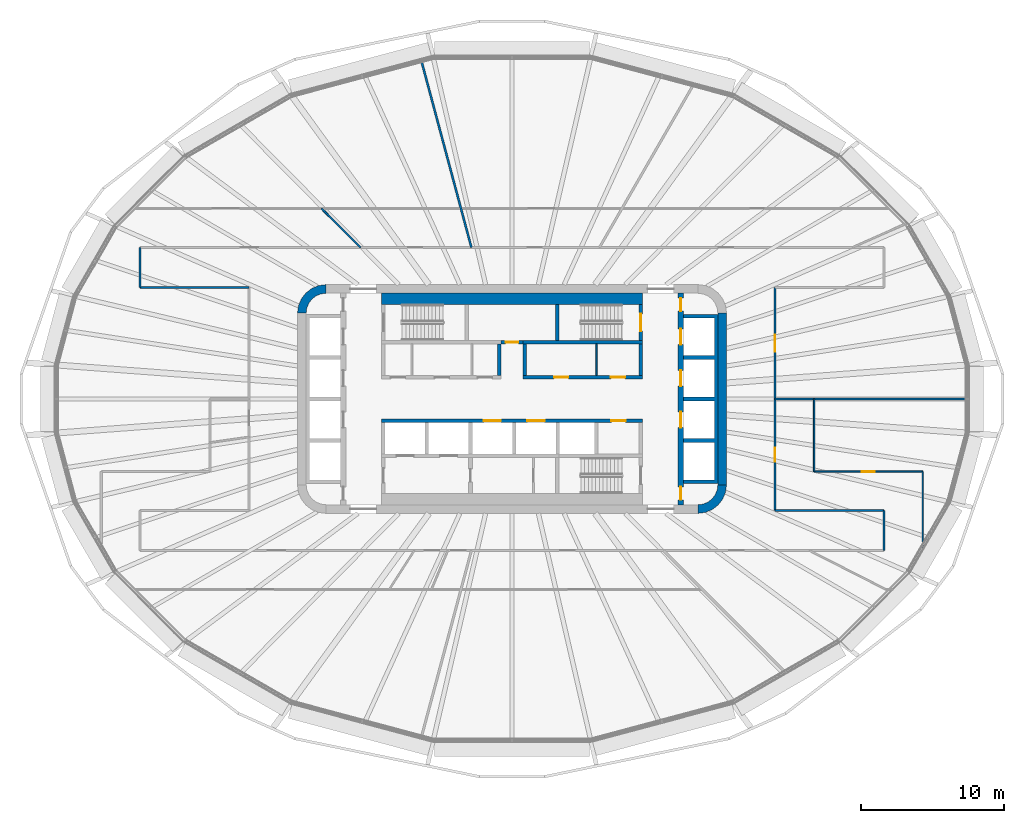
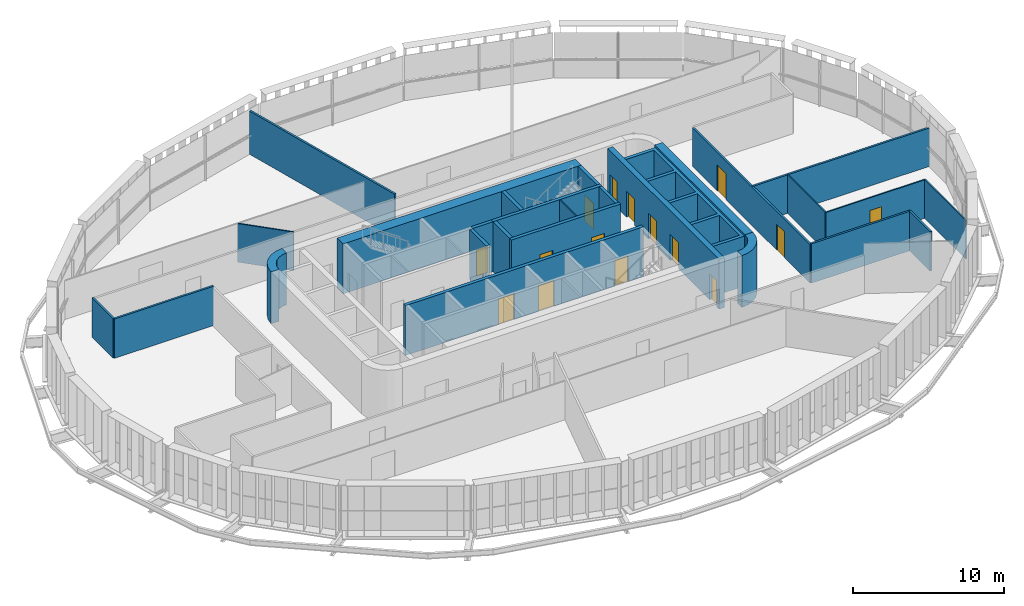
# One storey, part 16 of 25: 27 walls, 15 doors, 15 openings.
"""IFC4 building model written with IfcOpenShell, lengths in metres."""

from ifc_helpers import new_model, si_unit, direction, frame, frame_2d, origin, place, context, subcontext, project, spatial, polyline, rectangle, outline, extrude, material, layer, layer_set, type_object, element, fill, save


model = new_model("IFC4")

# Units and contexts
model_context = context("Model", 3, precision=1e-05, world=origin(), true_north=direction((0.0, 1.0)))
body_context = subcontext(model_context, "Body", "Model", "MODEL_VIEW")
ifc_project = project(units=[si_unit("LENGTHUNIT", "METRE"), si_unit("AREAUNIT", "SQUARE_METRE"), si_unit("VOLUMEUNIT", "CUBIC_METRE"), si_unit("PLANEANGLEUNIT", "RADIAN"), si_unit("MASSUNIT", "GRAM", prefix="KILO")], contexts=[model_context])

# Site, building, storey
site_placement = place(None, origin())
site = spatial("IfcSite", under=ifc_project, at=site_placement, CompositionType="ELEMENT")
building_placement = place(site_placement, origin())
building = spatial("IfcBuilding", under=site, at=building_placement, Name="Sahrelin Media Tower", CompositionType="ELEMENT")
storey_placement = place(building_placement, frame((0.0, 0.0, 110.39990234375)))
storey = spatial("IfcBuildingStorey", under=building, at=storey_placement, Name="L21", CompositionType="ELEMENT", Elevation=110.39990234375)

# Walls
ifc_material_1 = material(Name="Concrete C60/75", Category="concrete")
ifc_layer_1 = layer(ifc_material_1, 0.60009765625)
ifc_layer_set_1 = layer_set([ifc_layer_1], Name="Core wall 600")
wall_type_1 = type_object("IfcWallType", Name="Core wall 600", PredefinedType="SHEAR", material=ifc_layer_set_1)
wall_1_placement = place(storey_placement, frame((14.699951171875, -6.0, 0.0), z_axis=(0.0, 0.0, 1.0), x_axis=(0.0, 1.0, 0.0)))
element("IfcWall", 1, at=wall_1_placement, inside=storey, type_object=wall_type_1, Name="Core wall E L21", PredefinedType="SHEAR", context=body_context, shape_type="SweptSolid", body=[
    extrude(rectangle(XDim=12.0, YDim=0.60009765625, at=frame_2d((6.0, 0.0))), origin(), (0.0, 0.0, 1.0), 4.2001953125),
])
placement = place(storey_placement, origin())
element("IfcWall", 2, at=placement, inside=storey, type_object=wall_type_1, Name="Core wall corner NW L21", PredefinedType="SHEAR", context=body_context, shape_type="SweptSolid", body=[
    extrude(outline(polyline([(-15.0, 6.0), (-14.394775390625, 6.0), (-14.347412109375, 6.361083984375), (-14.2080078125, 6.697509765625), (-13.986328125, 6.986328125), (-13.697509765625, 7.2080078125), (-13.361083984375, 7.347412109375), (-13.0, 7.394775390625), (-13.0, 8.0), (-13.517578125, 7.931884765625), (-14.0, 7.732177734375), (-14.414306640625, 7.414306640625), (-14.732177734375, 7.0), (-14.931884765625, 6.517578125), (-15.0, 6.0)])), origin(), (0.0, 0.0, 1.0), 4.2001953125),
])
element("IfcWall", 3, at=placement, inside=storey, type_object=wall_type_1, Name="Core wall corner SE L21", PredefinedType="SHEAR", context=body_context, shape_type="SweptSolid", body=[
    extrude(outline(polyline([(15.0, -6.0), (14.394775390625, -6.0), (14.347412109375, -6.361083984375), (14.2080078125, -6.697509765625), (13.986328125, -6.986328125), (13.697509765625, -7.2080078125), (13.361083984375, -7.347412109375), (13.0, -7.394775390625), (13.0, -8.0), (13.517578125, -7.931884765625), (14.0, -7.732177734375), (14.414306640625, -7.414306640625), (14.732177734375, -7.0), (14.931884765625, -6.517578125), (15.0, -6.0)])), origin(), (0.0, 0.0, 1.0), 4.2001953125),
])

# Wall, opening, door
ifc_material_2 = material(Name="Fire-rated gypsum board partition")
ifc_layer_2 = layer(ifc_material_2, 0.25)
ifc_layer_set_2 = layer_set([ifc_layer_2], Name="Fire-rated lobby wall 250")
wall_type_2 = type_object("IfcWallType", Name="Fire-rated lobby wall 250", PredefinedType="PARTITIONING", material=ifc_layer_set_2)
wall_4_placement = place(storey_placement, frame((-0.77490234375, 3.97509765625, 0.0), z_axis=(0.0, 0.0, 1.0), x_axis=(1.0, 0.0, 0.0)))
wall_4 = element("IfcWall", 4, at=wall_4_placement, inside=storey, type_object=wall_type_2, Name="Core lobby wall", PredefinedType="PARTITIONING", context=body_context, shape_type="SweptSolid", body=[
    extrude(rectangle(XDim=1.5498046875, YDim=0.25, at=frame_2d((0.77490234375, 0.0))), origin(), (0.0, 0.0, 1.0), 4.050048828125),
])
opening_1_placement = place(wall_4_placement, frame((0.324951171875, 0.0, 0.0)))
opening_1 = element("IfcOpeningElement", 5, at=opening_1_placement, cuts=wall_4, Name="Opening L21-D06", PredefinedType="OPENING", context=body_context, shape_type="SweptSolid", body=[
    extrude(rectangle(XDim=0.89990234375, YDim=2.10009765625, at=frame_2d((0.449951171875, 1.050048828125))), frame((0.0, 0.125, 0.0), z_axis=(0.0, -1.0, 0.0), x_axis=(1.0, 0.0, 0.0)), (0.0, 0.0, 1.0), 0.25),
])
ifc_material_3 = material(Name="Steel fire door leaf", Category="steel")
door_type_1 = type_object("IfcDoorType", Name="Riser door 900 x 2100 EI 120", OperationType="NOTDEFINED", PredefinedType="DOOR", material=ifc_material_3)
door_1_placement = place(opening_1_placement, origin())
door_1 = element("IfcDoor", 6, at=door_1_placement, inside=storey, type_object=door_type_1, Name="Core room door", OperationType="SINGLE_SWING_LEFT", OverallHeight=2.10009765625, OverallWidth=0.89990234375, PredefinedType="DOOR", context=body_context, shape_type="SweptSolid", body=[
    extrude(rectangle(XDim=0.89990234375, YDim=2.10009765625, at=frame_2d((0.449951171875, 1.050048828125))), frame((0.0, 0.02490234375, 0.0), z_axis=(0.0, -1.0, 0.0), x_axis=(1.0, 0.0, 0.0)), (0.0, 0.0, 1.0), 0.050048828125),
])
fill(opening_1, door_1)

# Wall, openings, doors
wall_5_placement = place(storey_placement, frame((0.77490234375, 1.52490234375, 0.0), z_axis=(0.0, 0.0, 1.0), x_axis=(1.0, 0.0, 0.0)))
wall_5 = element("IfcWall", 7, at=wall_5_placement, inside=storey, type_object=wall_type_2, Name="Core lobby wall", PredefinedType="PARTITIONING", context=body_context, shape_type="SweptSolid", body=[
    extrude(rectangle(XDim=8.35009765625, YDim=0.25, at=frame_2d((4.175048828125, 0.0))), origin(), (0.0, 0.0, 1.0), 4.050048828125),
])
opening_2_placement = place(wall_5_placement, frame((2.16259765625, 0.0, 0.0)))
opening_2 = element("IfcOpeningElement", 8, at=opening_2_placement, cuts=wall_5, Name="Opening L21-D11", PredefinedType="OPENING", context=body_context, shape_type="SweptSolid", body=[
    extrude(rectangle(XDim=1.0, YDim=2.10009765625, at=frame_2d((0.5, 1.050048828125))), frame((0.0, 0.125, 0.0), z_axis=(0.0, -1.0, 0.0), x_axis=(1.0, 0.0, 0.0)), (0.0, 0.0, 1.0), 0.25),
])
opening_3_placement = place(wall_5_placement, frame((6.137451171875, 0.0, 0.0)))
opening_3 = element("IfcOpeningElement", 9, at=opening_3_placement, cuts=wall_5, Name="Opening L21-D12", PredefinedType="OPENING", context=body_context, shape_type="SweptSolid", body=[
    extrude(rectangle(XDim=1.0, YDim=2.10009765625, at=frame_2d((0.5, 1.050048828125))), frame((0.0, 0.125, 0.0), z_axis=(0.0, -1.0, 0.0), x_axis=(1.0, 0.0, 0.0)), (0.0, 0.0, 1.0), 0.25),
])
door_type_2 = type_object("IfcDoorType", Name="Fire door 1000 x 2100 EI 60", OperationType="NOTDEFINED", PredefinedType="DOOR", material=ifc_material_3)
door_2_placement = place(opening_2_placement, origin())
door_2 = element("IfcDoor", 10, at=door_2_placement, inside=storey, type_object=door_type_2, Name="Core room door", OperationType="SINGLE_SWING_LEFT", OverallHeight=2.10009765625, OverallWidth=1.0, PredefinedType="DOOR", context=body_context, shape_type="SweptSolid", body=[
    extrude(rectangle(XDim=1.0, YDim=2.10009765625, at=frame_2d((0.5, 1.050048828125))), frame((0.0, 0.02490234375, 0.0), z_axis=(0.0, -1.0, 0.0), x_axis=(1.0, 0.0, 0.0)), (0.0, 0.0, 1.0), 0.050048828125),
])
fill(opening_2, door_2)
door_3_placement = place(opening_3_placement, origin())
door_3 = element("IfcDoor", 11, at=door_3_placement, inside=storey, type_object=door_type_2, Name="Core room door", OperationType="SINGLE_SWING_LEFT", OverallHeight=2.10009765625, OverallWidth=1.0, PredefinedType="DOOR", context=body_context, shape_type="SweptSolid", body=[
    extrude(rectangle(XDim=1.0, YDim=2.10009765625, at=frame_2d((0.5, 1.050048828125))), frame((0.0, 0.02490234375, 0.0), z_axis=(0.0, -1.0, 0.0), x_axis=(1.0, 0.0, 0.0)), (0.0, 0.0, 1.0), 0.050048828125),
])
fill(opening_3, door_3)

# Walls
for number, where, z_axis, x_axis, name in (
    (12, (-0.89990234375, 1.64990234375, 0.0), (0.0, 0.0, 1.0), (0.0, 1.0, 0.0), "Core lobby wall"),
    (13, (9.0, 1.64990234375, 0.0), (0.0, 0.0, 1.0), (0.0, 1.0, 0.0), "Core lobby wall"),
    (14, (0.89990234375, 1.64990234375, 0.0), (0.0, 0.0, 1.0), (0.0, 1.0, 0.0), "Core lobby wall"),
):
    element("IfcWall", number, at=place(storey_placement, frame(where, z_axis=z_axis, x_axis=x_axis)), inside=storey, type_object=wall_type_2, Name=name, PredefinedType="PARTITIONING", context=body_context, shape_type="SweptSolid", body=[
        extrude(rectangle(XDim=2.2001953125, YDim=0.25, at=frame_2d((1.10009765625, 0.0))), origin(), (0.0, 0.0, 1.0), 4.050048828125),
    ])
ifc_layer_3 = layer(ifc_material_2, 0.10009765625)
ifc_layer_set_3 = layer_set([ifc_layer_3], Name="Fire-rated partition 100")
wall_type_3 = type_object("IfcWallType", Name="Fire-rated partition 100", PredefinedType="PARTITIONING", material=ifc_layer_set_3)
wall_6_placement = place(storey_placement, frame((5.89990234375, 1.64990234375, 0.0), z_axis=(0.0, 0.0, 1.0), x_axis=(0.0, 1.0, 0.0)))
element("IfcWall", 15, at=wall_6_placement, inside=storey, type_object=wall_type_3, Name="Core room partition", PredefinedType="PARTITIONING", context=body_context, shape_type="SweptSolid", body=[
    extrude(rectangle(XDim=2.2001953125, YDim=0.10009765625, at=frame_2d((1.10009765625, 0.0))), origin(), (0.0, 0.0, 1.0), 4.050048828125),
])
ifc_layer_4 = layer(ifc_material_2, 0.14990234375)
ifc_layer_set_4 = layer_set([ifc_layer_4], Name="Fire-rated partition 150")
wall_type_4 = type_object("IfcWallType", Name="Fire-rated partition 150", PredefinedType="PARTITIONING", material=ifc_layer_set_4)
wall_7_placement = place(storey_placement, frame((-6.364990234375, 23.75390625, 0.0), z_axis=(0.0, 0.0, 1.0), x_axis=(0.258859748235, -0.965914918998, 0.0)))
element("IfcWall", 16, at=wall_7_placement, inside=storey, type_object=wall_type_4, Name="Wall", PredefinedType="PARTITIONING", context=body_context, shape_type="SweptSolid", body=[
    extrude(rectangle(XDim=13.617919921875, YDim=0.14990234375, at=frame_2d((6.80908203125, 0.0))), origin(), (0.0, 0.0, 1.0), 3.501708984375),
])
wall_8_placement = place(storey_placement, frame((18.39990234375, -7.800048828125, 0.0), z_axis=(0.0, 0.0, 1.0), x_axis=(1.0, 0.0, 0.0)))
element("IfcWall", 17, at=wall_8_placement, inside=storey, type_object=wall_type_4, Name="Wall", PredefinedType="PARTITIONING", context=body_context, shape_type="SweptSolid", body=[
    extrude(rectangle(XDim=7.60009765625, YDim=0.14990234375, at=frame_2d((3.800048828125, 0.0))), origin(), (0.0, 0.0, 1.0), 3.1953125),
])
wall_9_placement = place(storey_placement, frame((18.39990234375, 0.0, 0.0), z_axis=(0.0, 0.0, 1.0), x_axis=(1.0, 0.0, 0.0)))
element("IfcWall", 18, at=wall_9_placement, inside=storey, type_object=wall_type_4, Name="Wall", PredefinedType="PARTITIONING", context=body_context, shape_type="SweptSolid", body=[
    extrude(rectangle(XDim=13.544189453125, YDim=0.14990234375, at=frame_2d((6.77197265625, 0.0))), origin(), (0.0, 0.0, 1.0), 3.118408203125),
])
wall_10_placement = place(storey_placement, frame((-26.0, 7.800048828125, 0.0), z_axis=(0.0, 0.0, 1.0), x_axis=(1.0, 0.0, 0.0)))
element("IfcWall", 19, at=wall_10_placement, inside=storey, type_object=wall_type_4, Name="Wall", PredefinedType="PARTITIONING", context=body_context, shape_type="SweptSolid", body=[
    extrude(rectangle(XDim=7.60009765625, YDim=0.14990234375, at=frame_2d((3.800048828125, 0.0))), origin(), (0.0, 0.0, 1.0), 3.1953125),
])
wall_11_placement = place(storey_placement, frame((26.0, -10.60009765625, 0.0), z_axis=(0.0, 0.0, 1.0), x_axis=(0.0, 1.0, 0.0)))
element("IfcWall", 20, at=wall_11_placement, inside=storey, type_object=wall_type_4, Name="Wall", PredefinedType="PARTITIONING", context=body_context, shape_type="SweptSolid", body=[
    extrude(rectangle(XDim=2.800048828125, YDim=0.14990234375, at=frame_2d((1.39990234375, 0.0))), origin(), (0.0, 0.0, 1.0), 3.1953125),
])

# Wall, openings, doors
wall_12_placement = place(storey_placement, frame((18.39990234375, -7.800048828125, 0.0), z_axis=(0.0, 0.0, 1.0), x_axis=(0.0, 1.0, 0.0)))
wall_12 = element("IfcWall", 21, at=wall_12_placement, inside=storey, type_object=wall_type_4, Name="Wall", PredefinedType="PARTITIONING", context=body_context, shape_type="SweptSolid", body=[
    extrude(rectangle(XDim=15.60009765625, YDim=0.14990234375, at=frame_2d((7.800048828125, 0.0))), origin(), (0.0, 0.0, 1.0), 3.118408203125),
])
opening_4_placement = place(wall_12_placement, frame((3.39990234375, 0.0, 0.0)))
opening_4 = element("IfcOpeningElement", 22, at=opening_4_placement, cuts=wall_12, Name="Opening L21-D33", PredefinedType="OPENING", context=body_context, shape_type="SweptSolid", body=[
    extrude(rectangle(XDim=1.0, YDim=2.10009765625, at=frame_2d((0.5, 1.050048828125))), frame((0.0, 0.074951171875, 0.0), z_axis=(0.0, -1.0, 0.0), x_axis=(1.0, 0.0, 0.0)), (0.0, 0.0, 1.0), 0.14990234375),
])
opening_5_placement = place(wall_12_placement, frame((11.10009765625, 0.0, 0.0)))
opening_5 = element("IfcOpeningElement", 23, at=opening_5_placement, cuts=wall_12, Name="Opening L21-D35", PredefinedType="OPENING", context=body_context, shape_type="SweptSolid", body=[
    extrude(rectangle(XDim=1.199951171875, YDim=2.10009765625, at=frame_2d((0.60009765625, 1.050048828125))), frame((0.0, 0.074951171875, 0.0), z_axis=(0.0, -1.0, 0.0), x_axis=(1.0, 0.0, 0.0)), (0.0, 0.0, 1.0), 0.14990234375),
])
door_4_placement = place(opening_4_placement, origin())
door_4 = element("IfcDoor", 24, at=door_4_placement, inside=storey, type_object=door_type_2, Name="Fire door", OperationType="SINGLE_SWING_LEFT", OverallHeight=2.10009765625, OverallWidth=1.0, PredefinedType="DOOR", context=body_context, shape_type="SweptSolid", body=[
    extrude(rectangle(XDim=1.0, YDim=2.10009765625, at=frame_2d((0.5, 1.050048828125))), frame((0.0, 0.02490234375, 0.0), z_axis=(0.0, -1.0, 0.0), x_axis=(1.0, 0.0, 0.0)), (0.0, 0.0, 1.0), 0.050048828125),
])
fill(opening_4, door_4)
door_type_3 = type_object("IfcDoorType", Name="Service double door 1200 x 2100 EI 60", OperationType="DOUBLE_DOOR_SINGLE_SWING", PredefinedType="DOOR", material=ifc_material_3)
door_5_placement = place(opening_5_placement, origin())
door_5 = element("IfcDoor", 25, at=door_5_placement, inside=storey, type_object=door_type_3, Name="Service double door", OperationType="DOUBLE_DOOR_SINGLE_SWING", OverallHeight=2.10009765625, OverallWidth=1.199951171875, PredefinedType="DOOR", context=body_context, shape_type="SweptSolid", body=[
    extrude(rectangle(XDim=1.199951171875, YDim=2.10009765625, at=frame_2d((0.60009765625, 1.050048828125))), frame((0.0, 0.02490234375, 0.0), z_axis=(0.0, -1.0, 0.0), x_axis=(1.0, 0.0, 0.0)), (0.0, 0.0, 1.0), 0.050048828125),
])
fill(opening_5, door_5)

# Wall
wall_13_placement = place(storey_placement, frame((-26.0, 7.800048828125, 0.0), z_axis=(0.0, 0.0, 1.0), x_axis=(0.0, 1.0, 0.0)))
element("IfcWall", 26, at=wall_13_placement, inside=storey, type_object=wall_type_4, Name="Wall", PredefinedType="PARTITIONING", context=body_context, shape_type="SweptSolid", body=[
    extrude(rectangle(XDim=2.800048828125, YDim=0.14990234375, at=frame_2d((1.39990234375, 0.0))), origin(), (0.0, 0.0, 1.0), 3.1953125),
])

# Wall, openings, doors
ifc_layer_5 = layer(ifc_material_1, 0.25)
ifc_layer_set_5 = layer_set([ifc_layer_5], Name="Lift shaft wall 250")
wall_type_5 = type_object("IfcWallType", Name="Lift shaft wall 250", PredefinedType="SOLIDWALL", material=ifc_layer_set_5)
wall_14_placement = place(storey_placement, frame((-9.125, -1.52490234375, 0.0), z_axis=(0.0, 0.0, 1.0), x_axis=(1.0, 0.0, 0.0)))
wall_14 = element("IfcWall", 27, at=wall_14_placement, inside=storey, type_object=wall_type_5, Name="Lift shaft wall", PredefinedType="SOLIDWALL", context=body_context, shape_type="SweptSolid", body=[
    extrude(rectangle(XDim=18.25, YDim=0.25, at=frame_2d((9.125, 0.0))), origin(), (0.0, 0.0, 1.0), 4.050048828125),
])
opening_6_placement = place(wall_14_placement, frame((7.14990234375, 0.0, 0.0)))
opening_6 = element("IfcOpeningElement", 28, at=opening_6_placement, cuts=wall_14, Name="Opening L21-LD-SV1", PredefinedType="OPENING", context=body_context, shape_type="SweptSolid", body=[
    extrude(rectangle(XDim=1.199951171875, YDim=2.10009765625, at=frame_2d((0.60009765625, 1.050048828125))), frame((0.0, 0.125, 0.0), z_axis=(0.0, -1.0, 0.0), x_axis=(1.0, 0.0, 0.0)), (0.0, 0.0, 1.0), 0.25),
])
opening_7_placement = place(wall_14_placement, frame((10.199951171875, 0.0, 0.0)))
opening_7 = element("IfcOpeningElement", 29, at=opening_7_placement, cuts=wall_14, Name="Opening L21-LD-SV2", PredefinedType="OPENING", context=body_context, shape_type="SweptSolid", body=[
    extrude(rectangle(XDim=1.199951171875, YDim=2.10009765625, at=frame_2d((0.60009765625, 1.050048828125))), frame((0.0, 0.125, 0.0), z_axis=(0.0, -1.0, 0.0), x_axis=(1.0, 0.0, 0.0)), (0.0, 0.0, 1.0), 0.25),
])
opening_8_placement = place(wall_14_placement, frame((16.074951171875, 0.0, 0.0)))
opening_8 = element("IfcOpeningElement", 30, at=opening_8_placement, cuts=wall_14, Name="Opening L21-D13", PredefinedType="OPENING", context=body_context, shape_type="SweptSolid", body=[
    extrude(rectangle(XDim=1.0, YDim=2.10009765625, at=frame_2d((0.5, 1.050048828125))), frame((0.0, 0.125, 0.0), z_axis=(0.0, -1.0, 0.0), x_axis=(1.0, 0.0, 0.0)), (0.0, 0.0, 1.0), 0.25),
])
door_6_placement = place(opening_8_placement, origin())
door_6 = element("IfcDoor", 31, at=door_6_placement, inside=storey, type_object=door_type_2, Name="Core room door", OperationType="SINGLE_SWING_RIGHT", OverallHeight=2.10009765625, OverallWidth=1.0, PredefinedType="DOOR", context=body_context, shape_type="SweptSolid", body=[
    extrude(rectangle(XDim=1.0, YDim=2.10009765625, at=frame_2d((0.5, 1.050048828125))), frame((0.0, 0.02490234375, 0.0), z_axis=(0.0, -1.0, 0.0), x_axis=(1.0, 0.0, 0.0)), (0.0, 0.0, 1.0), 0.050048828125),
])
fill(opening_8, door_6)
ifc_material_4 = material(Name="Stainless steel", Category="steel")
door_type_4 = type_object("IfcDoorType", Name="Lift landing door 1200 x 2100 EI 120", OperationType="DOUBLE_DOOR_SLIDING", PredefinedType="DOOR", material=ifc_material_4)
door_7_placement = place(opening_6_placement, origin())
door_7 = element("IfcDoor", 32, at=door_7_placement, inside=storey, type_object=door_type_4, Name="Lift landing door SV1", OperationType="DOUBLE_DOOR_SLIDING", OverallHeight=2.10009765625, OverallWidth=1.199951171875, PredefinedType="DOOR", context=body_context, shape_type="SweptSolid", body=[
    extrude(rectangle(XDim=1.199951171875, YDim=2.10009765625, at=frame_2d((0.60009765625, 1.050048828125))), frame((0.0, 0.02490234375, 0.0), z_axis=(0.0, -1.0, 0.0), x_axis=(1.0, 0.0, 0.0)), (0.0, 0.0, 1.0), 0.050048828125),
])
fill(opening_6, door_7)
door_8_placement = place(opening_7_placement, origin())
door_8 = element("IfcDoor", 33, at=door_8_placement, inside=storey, type_object=door_type_4, Name="Lift landing door SV2", OperationType="DOUBLE_DOOR_SLIDING", OverallHeight=2.10009765625, OverallWidth=1.199951171875, PredefinedType="DOOR", context=body_context, shape_type="SweptSolid", body=[
    extrude(rectangle(XDim=1.199951171875, YDim=2.10009765625, at=frame_2d((0.60009765625, 1.050048828125))), frame((0.0, 0.02490234375, 0.0), z_axis=(0.0, -1.0, 0.0), x_axis=(1.0, 0.0, 0.0)), (0.0, 0.0, 1.0), 0.050048828125),
])
fill(opening_7, door_8)

# Wall
element("IfcWall", 34, at=placement, inside=storey, type_object=wall_type_5, Name="Lift shaft wall", PredefinedType="SOLIDWALL", context=body_context, shape_type="SweptSolid", body=[
    extrude(outline(polyline([(12.0, -5.675048828125), (12.0, -5.925048828125), (14.14990234375, -5.925048828125), (14.39990234375, -5.925048828125), (14.39990234375, -5.675048828125), (14.39990234375, -3.02490234375), (14.39990234375, -2.77490234375), (14.39990234375, -0.125), (14.39990234375, 0.125), (14.39990234375, 2.77490234375), (14.39990234375, 3.02490234375), (14.39990234375, 5.675048828125), (14.39990234375, 5.925048828125), (14.14990234375, 5.925048828125), (12.0, 5.925048828125), (12.0, 5.675048828125), (14.14990234375, 5.675048828125), (14.14990234375, 3.02490234375), (12.0, 3.02490234375), (12.0, 2.77490234375), (14.14990234375, 2.77490234375), (14.14990234375, 0.125), (12.0, 0.125), (12.0, -0.125), (14.14990234375, -0.125), (14.14990234375, -2.77490234375), (12.0, -2.77490234375), (12.0, -3.02490234375), (14.14990234375, -3.02490234375), (14.14990234375, -5.675048828125), (12.0, -5.675048828125)])), origin(), (0.0, 0.0, 1.0), 4.050048828125),
])

# Wall, openings, doors
ifc_layer_6 = layer(ifc_material_1, 0.39990234375)
ifc_layer_set_6 = layer_set([ifc_layer_6], Name="Lift shaft wall 400")
wall_type_6 = type_object("IfcWallType", Name="Lift shaft wall 400", PredefinedType="SOLIDWALL", material=ifc_layer_set_6)
wall_16_placement = place(storey_placement, frame((11.800048828125, -7.39990234375, 0.0), z_axis=(0.0, 0.0, 1.0), x_axis=(0.0, 1.0, 0.0)))
wall_16 = element("IfcWall", 35, at=wall_16_placement, inside=storey, type_object=wall_type_6, Name="Lift shaft wall", PredefinedType="SOLIDWALL", context=body_context, shape_type="SweptSolid", body=[
    extrude(rectangle(XDim=14.7998046875, YDim=0.39990234375, at=frame_2d((7.39990234375, 0.0))), origin(), (0.0, 0.0, 1.0), 4.050048828125),
])
opening_9_placement = place(wall_16_placement, frame((11.199951171875, 0.0, 0.0)))
opening_9 = element("IfcOpeningElement", 36, at=opening_9_placement, cuts=wall_16, Name="Opening L21-LD-LR4", PredefinedType="OPENING", context=body_context, shape_type="SweptSolid", body=[
    extrude(rectangle(XDim=1.10009765625, YDim=2.10009765625, at=frame_2d((0.550048828125, 1.050048828125))), frame((0.0, 0.199951171875, 0.0), z_axis=(0.0, -1.0, 0.0), x_axis=(1.0, 0.0, 0.0)), (0.0, 0.0, 1.0), 0.39990234375),
])
opening_10_placement = place(wall_16_placement, frame((8.300048828125, 0.0, 0.0)))
opening_10 = element("IfcOpeningElement", 37, at=opening_10_placement, cuts=wall_16, Name="Opening L21-LD-LR5", PredefinedType="OPENING", context=body_context, shape_type="SweptSolid", body=[
    extrude(rectangle(XDim=1.10009765625, YDim=2.10009765625, at=frame_2d((0.550048828125, 1.050048828125))), frame((0.0, 0.199951171875, 0.0), z_axis=(0.0, -1.0, 0.0), x_axis=(1.0, 0.0, 0.0)), (0.0, 0.0, 1.0), 0.39990234375),
])
opening_11_placement = place(wall_16_placement, frame((5.39990234375, 0.0, 0.0)))
opening_11 = element("IfcOpeningElement", 38, at=opening_11_placement, cuts=wall_16, Name="Opening L21-LD-LR6", PredefinedType="OPENING", context=body_context, shape_type="SweptSolid", body=[
    extrude(rectangle(XDim=1.10009765625, YDim=2.10009765625, at=frame_2d((0.550048828125, 1.050048828125))), frame((0.0, 0.199951171875, 0.0), z_axis=(0.0, -1.0, 0.0), x_axis=(1.0, 0.0, 0.0)), (0.0, 0.0, 1.0), 0.39990234375),
])
opening_12_placement = place(wall_16_placement, frame((13.552490234375, 0.0, 0.0)))
opening_12 = element("IfcOpeningElement", 39, at=opening_12_placement, cuts=wall_16, Name="Opening L21-D16", PredefinedType="OPENING", context=body_context, shape_type="SweptSolid", body=[
    extrude(rectangle(XDim=0.89990234375, YDim=2.10009765625, at=frame_2d((0.449951171875, 1.050048828125))), frame((0.0, 0.199951171875, 0.0), z_axis=(0.0, -1.0, 0.0), x_axis=(1.0, 0.0, 0.0)), (0.0, 0.0, 1.0), 0.39990234375),
])
opening_13_placement = place(wall_16_placement, frame((0.347412109375, 0.0, 0.0)))
opening_13 = element("IfcOpeningElement", 40, at=opening_13_placement, cuts=wall_16, Name="Opening L21-D17", PredefinedType="OPENING", context=body_context, shape_type="SweptSolid", body=[
    extrude(rectangle(XDim=0.89990234375, YDim=2.10009765625, at=frame_2d((0.449951171875, 1.050048828125))), frame((0.0, 0.199951171875, 0.0), z_axis=(0.0, -1.0, 0.0), x_axis=(1.0, 0.0, 0.0)), (0.0, 0.0, 1.0), 0.39990234375),
])
door_type_5 = type_object("IfcDoorType", Name="Lift landing door 1100 x 2100 EI 120", OperationType="DOUBLE_DOOR_SLIDING", PredefinedType="DOOR", material=ifc_material_4)
door_9_placement = place(opening_9_placement, origin())
door_9 = element("IfcDoor", 41, at=door_9_placement, inside=storey, type_object=door_type_5, Name="Lift landing door LR4", OperationType="DOUBLE_DOOR_SLIDING", OverallHeight=2.10009765625, OverallWidth=1.10009765625, PredefinedType="DOOR", context=body_context, shape_type="SweptSolid", body=[
    extrude(rectangle(XDim=1.10009765625, YDim=2.10009765625, at=frame_2d((0.550048828125, 1.050048828125))), frame((0.0, 0.02490234375, 0.0), z_axis=(0.0, -1.0, 0.0), x_axis=(1.0, 0.0, 0.0)), (0.0, 0.0, 1.0), 0.050048828125),
])
fill(opening_9, door_9)
door_10_placement = place(opening_10_placement, origin())
door_10 = element("IfcDoor", 42, at=door_10_placement, inside=storey, type_object=door_type_5, Name="Lift landing door LR5", OperationType="DOUBLE_DOOR_SLIDING", OverallHeight=2.10009765625, OverallWidth=1.10009765625, PredefinedType="DOOR", context=body_context, shape_type="SweptSolid", body=[
    extrude(rectangle(XDim=1.10009765625, YDim=2.10009765625, at=frame_2d((0.550048828125, 1.050048828125))), frame((0.0, 0.02490234375, 0.0), z_axis=(0.0, -1.0, 0.0), x_axis=(1.0, 0.0, 0.0)), (0.0, 0.0, 1.0), 0.050048828125),
])
fill(opening_10, door_10)
door_11_placement = place(opening_11_placement, origin())
door_11 = element("IfcDoor", 43, at=door_11_placement, inside=storey, type_object=door_type_5, Name="Lift landing door LR6", OperationType="DOUBLE_DOOR_SLIDING", OverallHeight=2.10009765625, OverallWidth=1.10009765625, PredefinedType="DOOR", context=body_context, shape_type="SweptSolid", body=[
    extrude(rectangle(XDim=1.10009765625, YDim=2.10009765625, at=frame_2d((0.550048828125, 1.050048828125))), frame((0.0, 0.02490234375, 0.0), z_axis=(0.0, -1.0, 0.0), x_axis=(1.0, 0.0, 0.0)), (0.0, 0.0, 1.0), 0.050048828125),
])
fill(opening_11, door_11)
door_12_placement = place(opening_12_placement, origin())
door_12 = element("IfcDoor", 44, at=door_12_placement, inside=storey, type_object=door_type_1, Name="Riser door", OperationType="SINGLE_SWING_RIGHT", OverallHeight=2.10009765625, OverallWidth=0.89990234375, PredefinedType="DOOR", context=body_context, shape_type="SweptSolid", body=[
    extrude(rectangle(XDim=0.89990234375, YDim=2.10009765625, at=frame_2d((0.449951171875, 1.050048828125))), frame((0.0, 0.02490234375, 0.0), z_axis=(0.0, -1.0, 0.0), x_axis=(1.0, 0.0, 0.0)), (0.0, 0.0, 1.0), 0.050048828125),
])
fill(opening_12, door_12)
door_13_placement = place(opening_13_placement, origin())
door_13 = element("IfcDoor", 45, at=door_13_placement, inside=storey, type_object=door_type_1, Name="Riser door", OperationType="SINGLE_SWING_RIGHT", OverallHeight=2.10009765625, OverallWidth=0.89990234375, PredefinedType="DOOR", context=body_context, shape_type="SweptSolid", body=[
    extrude(rectangle(XDim=0.89990234375, YDim=2.10009765625, at=frame_2d((0.449951171875, 1.050048828125))), frame((0.0, 0.02490234375, 0.0), z_axis=(0.0, -1.0, 0.0), x_axis=(1.0, 0.0, 0.0)), (0.0, 0.0, 1.0), 0.050048828125),
])
fill(opening_13, door_13)

# Wall
ifc_material_5 = material(Name="Gypsum board partition")
ifc_layer_7 = layer(ifc_material_5, 0.10009765625)
ifc_layer_set_7 = layer_set([ifc_layer_7], Name="Partition 100")
wall_type_7 = type_object("IfcWallType", Name="Partition 100", PredefinedType="PARTITIONING", material=ifc_layer_set_7)
wall_17_placement = place(storey_placement, frame((-13.320068359375, 13.320068359375, 0.0), z_axis=(0.0, 0.0, 1.0), x_axis=(0.707106781187, -0.707106781187, 0.0)))
element("IfcWall", 46, at=wall_17_placement, inside=storey, type_object=wall_type_7, Name="Wall", PredefinedType="PARTITIONING", context=body_context, shape_type="SweptSolid", body=[
    extrude(rectangle(XDim=3.8466796875, YDim=0.10009765625, at=frame_2d((1.92333984375, 0.0))), origin(), (0.0, 0.0, 1.0), 3.127197265625),
])

# Wall, opening, door
wall_18_placement = place(storey_placement, frame((21.1201171875, -5.080078125, 0.0), z_axis=(0.0, 0.0, 1.0), x_axis=(1.0, 0.0, 0.0)))
wall_18 = element("IfcWall", 47, at=wall_18_placement, inside=storey, type_object=wall_type_7, Name="Wall", PredefinedType="PARTITIONING", context=body_context, shape_type="SweptSolid", body=[
    extrude(rectangle(XDim=7.599853515625, YDim=0.10009765625, at=frame_2d((3.7998046875, 0.0))), origin(), (0.0, 0.0, 1.0), 3.127197265625),
])
opening_14_placement = place(wall_18_placement, frame((3.35009765625, 0.0, 0.0)))
opening_14 = element("IfcOpeningElement", 48, at=opening_14_placement, cuts=wall_18, Name="Opening L21-D34", PredefinedType="OPENING", context=body_context, shape_type="SweptSolid", body=[
    extrude(rectangle(XDim=0.89990234375, YDim=2.10009765625, at=frame_2d((0.449951171875, 1.050048828125))), frame((0.0, 0.050048828125, 0.0), z_axis=(0.0, -1.0, 0.0), x_axis=(1.0, 0.0, 0.0)), (0.0, 0.0, 1.0), 0.10009765625),
])
ifc_material_6 = material(Name="Timber door leaf", Category="wood")
door_type_6 = type_object("IfcDoorType", Name="Single door 900 x 2100", OperationType="NOTDEFINED", PredefinedType="DOOR", material=ifc_material_6)
door_14_placement = place(opening_14_placement, origin())
door_14 = element("IfcDoor", 49, at=door_14_placement, inside=storey, type_object=door_type_6, Name="Single door", OperationType="SINGLE_SWING_LEFT", OverallHeight=2.10009765625, OverallWidth=0.89990234375, PredefinedType="DOOR", context=body_context, shape_type="SweptSolid", body=[
    extrude(rectangle(XDim=0.89990234375, YDim=2.10009765625, at=frame_2d((0.449951171875, 1.050048828125))), frame((0.0, 0.02490234375, 0.0), z_axis=(0.0, -1.0, 0.0), x_axis=(1.0, 0.0, 0.0)), (0.0, 0.0, 1.0), 0.050048828125),
])
fill(opening_14, door_14)

# Walls
wall_19_placement = place(storey_placement, frame((28.719970703125, -10.555908203125, 0.0), z_axis=(0.0, 0.0, 1.0), x_axis=(0.0, 1.0, 0.0)))
element("IfcWall", 50, at=wall_19_placement, inside=storey, type_object=wall_type_7, Name="Wall", PredefinedType="PARTITIONING", context=body_context, shape_type="SweptSolid", body=[
    extrude(rectangle(XDim=5.475830078125, YDim=0.10009765625, at=frame_2d((2.73779296875, 0.0))), origin(), (0.0, 0.0, 1.0), 3.127197265625),
])
wall_20_placement = place(storey_placement, frame((21.1201171875, -5.080078125, 0.0), z_axis=(0.0, 0.0, 1.0), x_axis=(0.0, 1.0, 0.0)))
element("IfcWall", 51, at=wall_20_placement, inside=storey, type_object=wall_type_7, Name="Wall", PredefinedType="PARTITIONING", context=body_context, shape_type="SweptSolid", body=[
    extrude(rectangle(XDim=5.080078125, YDim=0.10009765625, at=frame_2d((2.5400390625, 0.0))), origin(), (0.0, 0.0, 1.0), 3.118408203125),
])

# Wall, opening, door
ifc_layer_8 = layer(ifc_material_1, 0.25)
ifc_layer_set_8 = layer_set([ifc_layer_8], Name="Stair enclosure wall 250")
wall_type_8 = type_object("IfcWallType", Name="Stair enclosure wall 250", PredefinedType="SOLIDWALL", material=ifc_layer_set_8)
wall_21_placement = place(storey_placement, frame((9.0, 4.10009765625, 0.0), z_axis=(0.0, 0.0, 1.0), x_axis=(0.0, 1.0, 0.0)))
wall_21 = element("IfcWall", 52, at=wall_21_placement, inside=storey, type_object=wall_type_8, Name="Stair enclosure wall", PredefinedType="SOLIDWALL", context=body_context, shape_type="SweptSolid", body=[
    extrude(rectangle(XDim=2.5, YDim=0.25, at=frame_2d((1.25, 0.0))), origin(), (0.0, 0.0, 1.0), 4.050048828125),
])
opening_15_placement = place(wall_21_placement, frame((0.64990234375, 0.0, 0.0)))
opening_15 = element("IfcOpeningElement", 53, at=opening_15_placement, cuts=wall_21, Name="Opening L21-D02", PredefinedType="OPENING", context=body_context, shape_type="SweptSolid", body=[
    extrude(rectangle(XDim=1.199951171875, YDim=2.10009765625, at=frame_2d((0.60009765625, 1.050048828125))), frame((0.0, 0.125, 0.0), z_axis=(0.0, -1.0, 0.0), x_axis=(1.0, 0.0, 0.0)), (0.0, 0.0, 1.0), 0.25),
])
door_type_7 = type_object("IfcDoorType", Name="Stair door 1200 x 2100 EI 120", OperationType="NOTDEFINED", PredefinedType="DOOR", material=ifc_material_3)
door_15_placement = place(opening_15_placement, origin())
door_15 = element("IfcDoor", 54, at=door_15_placement, inside=storey, type_object=door_type_7, Name="Stair door ST3", OperationType="SINGLE_SWING_LEFT", OverallHeight=2.10009765625, OverallWidth=1.199951171875, PredefinedType="DOOR", context=body_context, shape_type="SweptSolid", body=[
    extrude(rectangle(XDim=1.199951171875, YDim=2.10009765625, at=frame_2d((0.60009765625, 1.050048828125))), frame((0.0, 0.02490234375, 0.0), z_axis=(0.0, -1.0, 0.0), x_axis=(1.0, 0.0, 0.0)), (0.0, 0.0, 1.0), 0.050048828125),
])
fill(opening_15, door_15)

# Walls
wall_22_placement = place(storey_placement, frame((3.14990234375, 4.10009765625, 0.0), z_axis=(0.0, 0.0, 1.0), x_axis=(0.0, 1.0, 0.0)))
element("IfcWall", 55, at=wall_22_placement, inside=storey, type_object=wall_type_8, Name="Stair enclosure wall", PredefinedType="SOLIDWALL", context=body_context, shape_type="SweptSolid", body=[
    extrude(rectangle(XDim=2.5, YDim=0.25, at=frame_2d((1.25, 0.0))), origin(), (0.0, 0.0, 1.0), 4.050048828125),
])
wall_23_placement = place(storey_placement, frame((0.77490234375, 3.97509765625, 0.0), z_axis=(0.0, 0.0, 1.0), x_axis=(1.0, 0.0, 0.0)))
element("IfcWall", 56, at=wall_23_placement, inside=storey, type_object=wall_type_8, Name="Stair enclosure wall", PredefinedType="SOLIDWALL", context=body_context, shape_type="SweptSolid", body=[
    extrude(rectangle(XDim=8.35009765625, YDim=0.25, at=frame_2d((4.175048828125, 0.0))), origin(), (0.0, 0.0, 1.0), 4.050048828125),
])
ifc_layer_9 = layer(ifc_material_1, 0.800048828125)
ifc_layer_set_9 = layer_set([ifc_layer_9], Name="Stair enclosure wall 800")
wall_type_9 = type_object("IfcWallType", Name="Stair enclosure wall 800", PredefinedType="SOLIDWALL", material=ifc_layer_set_9)
wall_24_placement = place(storey_placement, frame((-9.125, 7.0, 0.0), z_axis=(0.0, 0.0, 1.0), x_axis=(1.0, 0.0, 0.0)))
element("IfcWall", 57, at=wall_24_placement, inside=storey, type_object=wall_type_9, Name="Stair enclosure wall", PredefinedType="SOLIDWALL", context=body_context, shape_type="SweptSolid", body=[
    extrude(rectangle(XDim=18.25, YDim=0.800048828125, at=frame_2d((9.125, 0.0))), origin(), (0.0, 0.0, 1.0), 4.050048828125),
])

save(model, "model.ifc")
